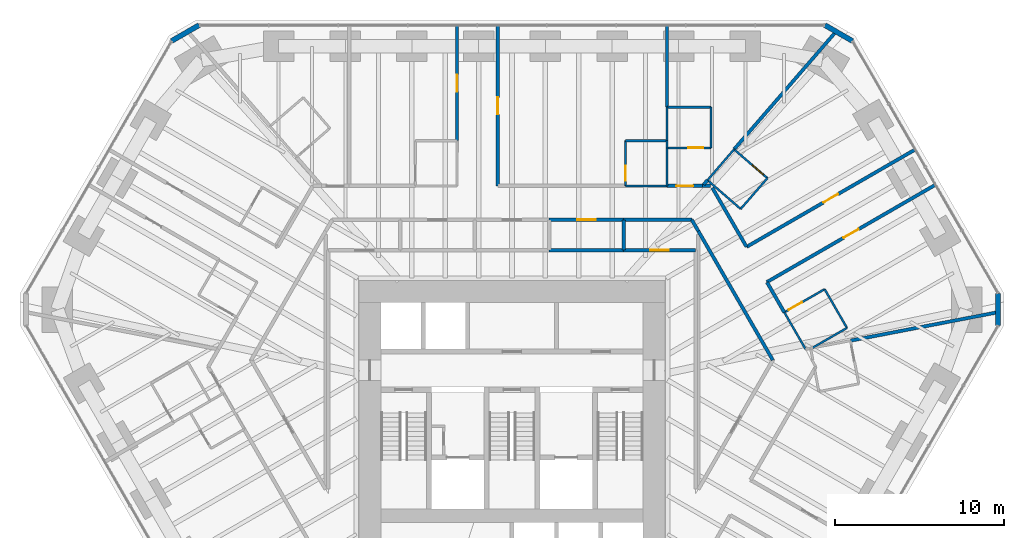
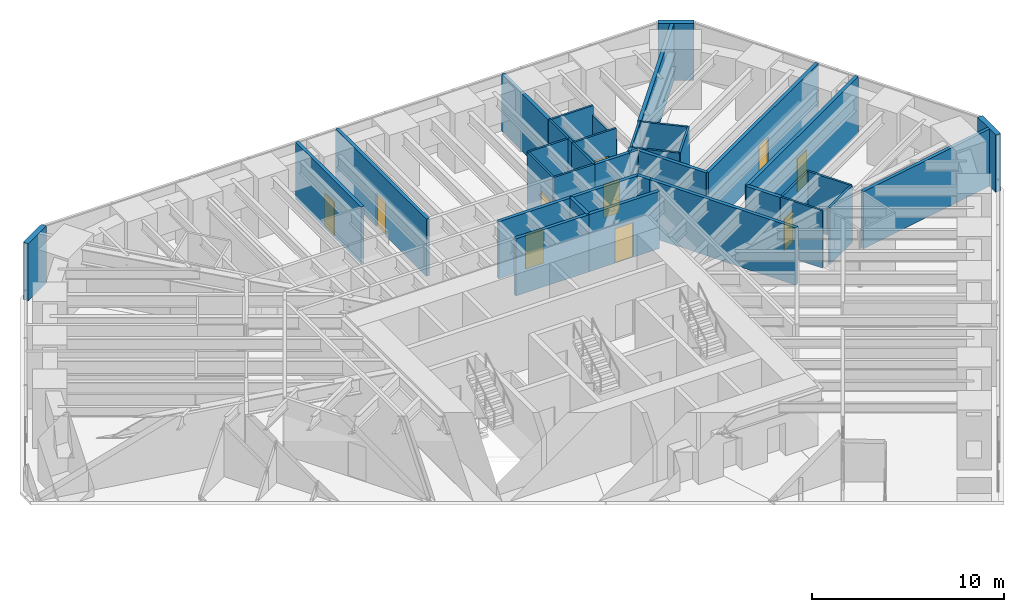
# One storey, part 15 of 17: 39 walls, 11 doors, 11 openings.
"""IFC4 building model written with IfcOpenShell, lengths in metres."""

from ifc_helpers import new_model, si_unit, direction, frame, frame_2d, origin, place, context, subcontext, project, spatial, rectangle, extrude, material, layer, layer_set, type_object, element, fill, save


model = new_model("IFC4")

# Units and contexts
model_context = context("Model", 3, precision=1e-05, world=origin(), true_north=direction((0.0, 1.0)))
body_context = subcontext(model_context, "Body", "Model", "MODEL_VIEW")
ifc_project = project(units=[si_unit("LENGTHUNIT", "METRE"), si_unit("AREAUNIT", "SQUARE_METRE"), si_unit("VOLUMEUNIT", "CUBIC_METRE"), si_unit("PLANEANGLEUNIT", "RADIAN"), si_unit("MASSUNIT", "GRAM", prefix="KILO")], contexts=[model_context])

# Site, building, storey
site_placement = place(None, origin())
site = spatial("IfcSite", under=ifc_project, at=site_placement, CompositionType="ELEMENT")
building_placement = place(site_placement, origin())
building = spatial("IfcBuilding", under=site, at=building_placement, Name="Sandreach Pilgrim Tower", CompositionType="ELEMENT")
storey_placement = place(building_placement, frame((0.0, 0.0, 108.199951171875)))
storey = spatial("IfcBuildingStorey", under=building, at=storey_placement, Name="L26", CompositionType="ELEMENT", Elevation=108.199951171875)

# Wall, opening, door
ifc_material_1 = material(Name="Moisture-resistant gypsum board on steel studs", Category="steel")
ifc_layer_1 = layer(ifc_material_1, 0.1201171875)
ifc_layer_set_1 = layer_set([ifc_layer_1], Name="Bathroom partition 120")
wall_type_1 = type_object("IfcWallType", Name="Bathroom partition 120", PredefinedType="PARTITIONING", material=ifc_layer_set_1)
wall_1_placement = place(storey_placement, frame((6.7099609375, 15.659912109375, 0.0), z_axis=(0.0, 0.0, 1.0), x_axis=(0.0, -1.0, 0.0)))
wall_1 = element("IfcWall", 1, at=wall_1_placement, inside=storey, type_object=wall_type_1, Name="Bathroom partition L26-103", PredefinedType="PARTITIONING", context=body_context, shape_type="SweptSolid", body=[
    extrude(rectangle(XDim=2.669921875, YDim=0.1201171875, at=frame_2d((1.3349609375, 0.0))), origin(), (0.0, 0.0, 1.0), 3.64013671875),
])
opening_1_placement = place(wall_1_placement, frame((1.469970703125, 0.0, 0.0)))
opening_1 = element("IfcOpeningElement", 2, at=opening_1_placement, cuts=wall_1, Name="Opening D09-03B", PredefinedType="OPENING", context=body_context, shape_type="SweptSolid", body=[
    extrude(rectangle(XDim=0.89990234375, YDim=2.030029296875, at=frame_2d((0.449951171875, 1.01513671875))), frame((0.0, 0.06005859375, 0.0), z_axis=(0.0, -1.0, 0.0), x_axis=(1.0, 0.0, 0.0)), (0.0, 0.0, 1.0), 0.1201171875),
])
ifc_material_2 = material(Name="Timber door, steel frame", Category="steel")
door_type_1 = type_object("IfcDoorType", Name="Bathroom door", OperationType="SINGLE_SWING_LEFT", PredefinedType="DOOR", material=ifc_material_2)
door_1_placement = place(opening_1_placement, origin())
door_1 = element("IfcDoor", 3, at=door_1_placement, inside=storey, type_object=door_type_1, Name="Door 2603B", OperationType="SINGLE_SWING_RIGHT", OverallHeight=2.030029296875, OverallWidth=0.89990234375, PredefinedType="DOOR", context=body_context, shape_type="SweptSolid", body=[
    extrude(rectangle(XDim=0.89990234375, YDim=2.030029296875, at=frame_2d((0.449951171875, 1.01513671875))), frame((0.0, 0.02490234375, 0.0), z_axis=(0.0, -1.0, 0.0), x_axis=(1.0, 0.0, 0.0)), (0.0, 0.0, 1.0), 0.050048828125),
])
fill(opening_1, door_1)

# Walls
wall_2_placement = place(storey_placement, frame((9.159912109375, 12.989990234375, 0.0), z_axis=(0.0, 0.0, 1.0), x_axis=(-1.0, 0.0, 0.0)))
element("IfcWall", 4, at=wall_2_placement, inside=storey, type_object=wall_type_1, Name="Bathroom partition L26-115", PredefinedType="PARTITIONING", context=body_context, shape_type="SweptSolid", body=[
    extrude(rectangle(XDim=2.449951171875, YDim=0.1201171875, at=frame_2d((1.22509765625, 0.0))), origin(), (0.0, 0.0, 1.0), 3.64013671875),
])
wall_3_placement = place(storey_placement, frame((9.159912109375, 15.239990234375, 0.0), z_axis=(0.0, 0.0, 1.0), x_axis=(0.0, -1.0, 0.0)))
element("IfcWall", 5, at=wall_3_placement, inside=storey, type_object=wall_type_1, Name="Bathroom partition L26-116", PredefinedType="PARTITIONING", context=body_context, shape_type="SweptSolid", body=[
    extrude(rectangle(XDim=2.25, YDim=0.1201171875, at=frame_2d((1.125, 0.0))), origin(), (0.0, 0.0, 1.0), 3.64013671875),
])

# Wall, opening, door
wall_4_placement = place(storey_placement, frame((9.159912109375, 15.239990234375, 0.0), z_axis=(0.0, 0.0, 1.0), x_axis=(1.0, 0.0, 0.0)))
wall_4 = element("IfcWall", 6, at=wall_4_placement, inside=storey, type_object=wall_type_1, Name="Bathroom partition L26-117", PredefinedType="PARTITIONING", context=body_context, shape_type="SweptSolid", body=[
    extrude(rectangle(XDim=2.60009765625, YDim=0.1201171875, at=frame_2d((1.300048828125, 0.0))), origin(), (0.0, 0.0, 1.0), 3.64013671875),
])
opening_2_placement = place(wall_4_placement, frame((1.25, 0.0, 0.0)))
opening_2 = element("IfcOpeningElement", 7, at=opening_2_placement, cuts=wall_4, Name="Opening D09-04B", PredefinedType="OPENING", context=body_context, shape_type="SweptSolid", body=[
    extrude(rectangle(XDim=0.89990234375, YDim=2.030029296875, at=frame_2d((0.449951171875, 1.01513671875))), frame((0.0, 0.06005859375, 0.0), z_axis=(0.0, -1.0, 0.0), x_axis=(1.0, 0.0, 0.0)), (0.0, 0.0, 1.0), 0.1201171875),
])
door_2_placement = place(opening_2_placement, origin())
door_2 = element("IfcDoor", 8, at=door_2_placement, inside=storey, type_object=door_type_1, Name="Door 2604B", OperationType="SINGLE_SWING_RIGHT", OverallHeight=2.030029296875, OverallWidth=0.89990234375, PredefinedType="DOOR", context=body_context, shape_type="SweptSolid", body=[
    extrude(rectangle(XDim=0.89990234375, YDim=2.030029296875, at=frame_2d((0.449951171875, 1.01513671875))), frame((0.0, 0.02490234375, 0.0), z_axis=(0.0, -1.0, 0.0), x_axis=(1.0, 0.0, 0.0)), (0.0, 0.0, 1.0), 0.050048828125),
])
fill(opening_2, door_2)

# Walls
wall_5_placement = place(storey_placement, frame((9.159912109375, 15.659912109375, 0.0), z_axis=(0.0, 0.0, 1.0), x_axis=(-1.0, 0.0, 0.0)))
element("IfcWall", 9, at=wall_5_placement, inside=storey, type_object=wall_type_1, Name="Bathroom partition L26-118", PredefinedType="PARTITIONING", context=body_context, shape_type="SweptSolid", body=[
    extrude(rectangle(XDim=2.449951171875, YDim=0.1201171875, at=frame_2d((1.22509765625, 0.0))), origin(), (0.0, 0.0, 1.0), 3.64013671875),
])
wall_6_placement = place(storey_placement, frame((9.159912109375, 15.659912109375, 0.0), z_axis=(0.0, 0.0, 1.0), x_axis=(0.0, -1.0, 0.0)))
element("IfcWall", 10, at=wall_6_placement, inside=storey, type_object=wall_type_1, Name="Bathroom partition L26-119", PredefinedType="PARTITIONING", context=body_context, shape_type="SweptSolid", body=[
    extrude(rectangle(XDim=0.419921875, YDim=0.1201171875, at=frame_2d((0.2099609375, 0.0))), origin(), (0.0, 0.0, 1.0), 3.64013671875),
])
wall_7_placement = place(storey_placement, frame((9.159912109375, 17.639892578125, 0.0), z_axis=(0.0, 0.0, 1.0), x_axis=(0.0, -1.0, 0.0)))
element("IfcWall", 11, at=wall_7_placement, inside=storey, type_object=wall_type_1, Name="Bathroom partition L26-120", PredefinedType="PARTITIONING", context=body_context, shape_type="SweptSolid", body=[
    extrude(rectangle(XDim=1.97998046875, YDim=0.1201171875, at=frame_2d((0.989990234375, 0.0))), origin(), (0.0, 0.0, 1.0), 3.64013671875),
])
wall_8_placement = place(storey_placement, frame((11.550048828125, 13.330078125, 0.0), z_axis=(0.0, 0.0, 1.0), x_axis=(0.653238965593, 0.75715180369, 0.0)))
element("IfcWall", 12, at=wall_8_placement, inside=storey, type_object=wall_type_1, Name="Bathroom partition L26-134", PredefinedType="PARTITIONING", context=body_context, shape_type="SweptSolid", body=[
    extrude(rectangle(XDim=2.403564453125, YDim=0.1201171875, at=frame_2d((1.20166015625, 0.0))), origin(), (0.0, 0.0, 1.0), 3.64013671875),
])
wall_9_placement = place(storey_placement, frame((11.550048828125, 13.330078125, 0.0), z_axis=(0.0, 0.0, 1.0), x_axis=(0.755437535555, -0.655220672655, 0.0)))
element("IfcWall", 13, at=wall_9_placement, inside=storey, type_object=wall_type_1, Name="Bathroom partition L26-135", PredefinedType="PARTITIONING", context=body_context, shape_type="SweptSolid", body=[
    extrude(rectangle(XDim=2.594482421875, YDim=0.1201171875, at=frame_2d((1.29736328125, 0.0))), origin(), (0.0, 0.0, 1.0), 3.64013671875),
])
wall_10_placement = place(storey_placement, frame((11.760009765625, 15.239990234375, 0.0), z_axis=(0.0, 0.0, 1.0), x_axis=(0.0, 1.0, 0.0)))
element("IfcWall", 14, at=wall_10_placement, inside=storey, type_object=wall_type_1, Name="Bathroom partition L26-137", PredefinedType="PARTITIONING", context=body_context, shape_type="SweptSolid", body=[
    extrude(rectangle(XDim=2.39990234375, YDim=0.1201171875, at=frame_2d((1.199951171875, 0.0))), origin(), (0.0, 0.0, 1.0), 3.0380859375),
])
wall_11_placement = place(storey_placement, frame((11.760009765625, 17.639892578125, 0.0), z_axis=(0.0, 0.0, 1.0), x_axis=(-1.0, 0.0, 0.0)))
element("IfcWall", 15, at=wall_11_placement, inside=storey, type_object=wall_type_1, Name="Bathroom partition L26-138", PredefinedType="PARTITIONING", context=body_context, shape_type="SweptSolid", body=[
    extrude(rectangle(XDim=2.60009765625, YDim=0.1201171875, at=frame_2d((1.300048828125, 0.0))), origin(), (0.0, 0.0, 1.0), 3.64013671875),
])
wall_12_placement = place(storey_placement, frame((13.510009765625, 11.6298828125, 0.0), z_axis=(0.0, 0.0, 1.0), x_axis=(0.655566599468, 0.75513736079, 0.0)))
element("IfcWall", 16, at=wall_12_placement, inside=storey, type_object=wall_type_1, Name="Bathroom partition L26-141", PredefinedType="PARTITIONING", context=body_context, shape_type="SweptSolid", body=[
    extrude(rectangle(XDim=2.41015625, YDim=0.1201171875, at=frame_2d((1.205078125, 0.0))), origin(), (0.0, 0.0, 1.0), 3.64013671875),
])

# Wall, opening, door
wall_13_placement = place(storey_placement, frame((15.090087890625, 13.449951171875, 0.0), z_axis=(0.0, 0.0, 1.0), x_axis=(-0.757086659925, 0.653314464377, 0.0)))
wall_13 = element("IfcWall", 17, at=wall_13_placement, inside=storey, type_object=wall_type_1, Name="Bathroom partition L26-146", PredefinedType="PARTITIONING", context=body_context, shape_type="SweptSolid", body=[
    extrude(rectangle(XDim=2.60205078125, YDim=0.1201171875, at=frame_2d((1.301025390625, 0.0))), origin(), (0.0, 0.0, 1.0), 3.64013671875),
])
opening_3_placement = place(wall_13_placement, frame((0.300048828125, 0.0, 0.0)))
opening_3 = element("IfcOpeningElement", 18, at=opening_3_placement, cuts=wall_13, Name="Opening D09-05B", PredefinedType="OPENING", context=body_context, shape_type="SweptSolid", body=[
    extrude(rectangle(XDim=0.89990234375, YDim=2.030029296875, at=frame_2d((0.449951171875, 1.01513671875))), frame((0.0, 0.06005859375, 0.0), z_axis=(0.0, -1.0, 0.0), x_axis=(1.0, 0.0, 0.0)), (0.0, 0.0, 1.0), 0.1201171875),
])
door_3_placement = place(opening_3_placement, origin())
door_3 = element("IfcDoor", 19, at=door_3_placement, inside=storey, type_object=door_type_1, Name="Door 2605B", OperationType="SINGLE_SWING_LEFT", OverallHeight=2.030029296875, OverallWidth=0.89990234375, PredefinedType="DOOR", context=body_context, shape_type="SweptSolid", body=[
    extrude(rectangle(XDim=0.89990234375, YDim=2.030029296875, at=frame_2d((0.449951171875, 1.01513671875))), frame((0.0, 0.02490234375, 0.0), z_axis=(0.0, -1.0, 0.0), x_axis=(1.0, 0.0, 0.0)), (0.0, 0.0, 1.0), 0.050048828125),
])
fill(opening_3, door_3)

# Walls
wall_14_placement = place(storey_placement, frame((16.090087890625, 5.52001953125, 0.0), z_axis=(0.0, 0.0, 1.0), x_axis=(0.500424596343, -0.865780124151, 0.0)))
element("IfcWall", 20, at=wall_14_placement, inside=storey, type_object=wall_type_1, Name="Bathroom partition L26-148", PredefinedType="PARTITIONING", context=body_context, shape_type="SweptSolid", body=[
    extrude(rectangle(XDim=2.517822265625, YDim=0.1201171875, at=frame_2d((1.2587890625, 0.0))), origin(), (0.0, 0.0, 1.0), 3.64013671875),
])
wall_15_placement = place(storey_placement, frame((17.760009765625, 3.429931640625, 0.0), z_axis=(0.0, 0.0, 1.0), x_axis=(0.866371132283, 0.499400701988, 0.0)))
element("IfcWall", 21, at=wall_15_placement, inside=storey, type_object=wall_type_1, Name="Bathroom partition L26-152", PredefinedType="PARTITIONING", context=body_context, shape_type="SweptSolid", body=[
    extrude(rectangle(XDim=2.34326171875, YDim=0.1201171875, at=frame_2d((1.171630859375, 0.0))), origin(), (0.0, 0.0, 1.0), 3.64013671875),
])

# Wall, opening, door
wall_16_placement = place(storey_placement, frame((18.469970703125, 6.889892578125, 0.0), z_axis=(0.0, 0.0, 1.0), x_axis=(-0.866679536557, -0.498865293355, 0.0)))
wall_16 = element("IfcWall", 22, at=wall_16_placement, inside=storey, type_object=wall_type_1, Name="Bathroom partition L26-158", PredefinedType="PARTITIONING", context=body_context, shape_type="SweptSolid", body=[
    extrude(rectangle(XDim=2.74609375, YDim=0.1201171875, at=frame_2d((1.373046875, 0.0))), origin(), (0.0, 0.0, 1.0), 3.64013671875),
])
opening_4_placement = place(wall_16_placement, frame((1.546142578125, 0.0, 0.0)))
opening_4 = element("IfcOpeningElement", 23, at=opening_4_placement, cuts=wall_16, Name="Opening D09-06B", PredefinedType="OPENING", context=body_context, shape_type="SweptSolid", body=[
    extrude(rectangle(XDim=0.89990234375, YDim=2.030029296875, at=frame_2d((0.449951171875, 1.01513671875))), frame((0.0, 0.06005859375, 0.0), z_axis=(0.0, -1.0, 0.0), x_axis=(1.0, 0.0, 0.0)), (0.0, 0.0, 1.0), 0.1201171875),
])
door_4_placement = place(opening_4_placement, origin())
door_4 = element("IfcDoor", 24, at=door_4_placement, inside=storey, type_object=door_type_1, Name="Door 2606B", OperationType="SINGLE_SWING_RIGHT", OverallHeight=2.030029296875, OverallWidth=0.89990234375, PredefinedType="DOOR", context=body_context, shape_type="SweptSolid", body=[
    extrude(rectangle(XDim=0.89990234375, YDim=2.030029296875, at=frame_2d((0.449951171875, 1.01513671875))), frame((0.0, 0.02490234375, 0.0), z_axis=(0.0, -1.0, 0.0), x_axis=(1.0, 0.0, 0.0)), (0.0, 0.0, 1.0), 0.050048828125),
])
fill(opening_4, door_4)

# Wall
wall_17_placement = place(storey_placement, frame((19.7900390625, 4.60009765625, 0.0), z_axis=(0.0, 0.0, 1.0), x_axis=(-0.499447879564, 0.866343936089, 0.0)))
element("IfcWall", 25, at=wall_17_placement, inside=storey, type_object=wall_type_1, Name="Bathroom partition L26-159", PredefinedType="PARTITIONING", context=body_context, shape_type="SweptSolid", body=[
    extrude(rectangle(XDim=2.64306640625, YDim=0.1201171875, at=frame_2d((1.321533203125, 0.0))), origin(), (0.0, 0.0, 1.0), 3.64013671875),
])

# Wall, opening, door
ifc_material_3 = material(Name="Gypsum board on steel studs, two layers each side", Category="steel")
ifc_layer_2 = layer(ifc_material_3, 0.199951171875)
ifc_layer_set_2 = layer_set([ifc_layer_2], Name="Corridor wall 200")
wall_type_2 = type_object("IfcWallType", Name="Corridor wall 200", PredefinedType="PARTITIONING", material=ifc_layer_set_2)
wall_18_placement = place(storey_placement, frame((-3.25, 22.4599609375, 0.0), z_axis=(0.0, 0.0, 1.0), x_axis=(0.0, -1.0, 0.0)))
wall_18 = element("IfcWall", 26, at=wall_18_placement, inside=storey, type_object=wall_type_2, Name="Corridor wall L26-073", PredefinedType="PARTITIONING", context=body_context, shape_type="SweptSolid", body=[
    extrude(rectangle(XDim=6.800048828125, YDim=0.199951171875, at=frame_2d((3.39990234375, 0.0))), origin(), (0.0, 0.0, 1.0), 3.64013671875),
])
opening_5_placement = place(wall_18_placement, frame((2.89990234375, 0.0, 0.0)))
opening_5 = element("IfcOpeningElement", 27, at=opening_5_placement, cuts=wall_18, Name="Opening D10-02", PredefinedType="OPENING", context=body_context, shape_type="SweptSolid", body=[
    extrude(rectangle(XDim=1.0, YDim=2.1298828125, at=frame_2d((0.5, 1.06494140625))), frame((0.0, 0.10009765625, 0.0), z_axis=(0.0, -1.0, 0.0), x_axis=(1.0, 0.0, 0.0)), (0.0, 0.0, 1.0), 0.199951171875),
])
ifc_material_4 = material(Name="Steel door and frame", Category="steel")
door_type_2 = type_object("IfcDoorType", Name="Guest room entry door", OperationType="SINGLE_SWING_LEFT", PredefinedType="DOOR", material=ifc_material_4)
door_5_placement = place(opening_5_placement, origin())
door_5 = element("IfcDoor", 28, at=door_5_placement, inside=storey, type_object=door_type_2, Name="Door 2602", OperationType="SINGLE_SWING_LEFT", OverallHeight=2.1298828125, OverallWidth=1.0, PredefinedType="DOOR", context=body_context, shape_type="SweptSolid", body=[
    extrude(rectangle(XDim=1.0, YDim=2.1298828125, at=frame_2d((0.5, 1.06494140625))), frame((0.0, 0.02490234375, 0.0), z_axis=(0.0, -1.0, 0.0), x_axis=(1.0, 0.0, 0.0)), (0.0, 0.0, 1.0), 0.050048828125),
])
fill(opening_5, door_5)

wall_19_placement = place(storey_placement, frame((-0.85009765625, 12.989990234375, 0.0), z_axis=(0.0, 0.0, 1.0), x_axis=(0.0, 1.0, 0.0)))
wall_19 = element("IfcWall", 29, at=wall_19_placement, inside=storey, type_object=wall_type_2, Name="Corridor wall L26-084", PredefinedType="PARTITIONING", context=body_context, shape_type="SweptSolid", body=[
    extrude(rectangle(XDim=9.469970703125, YDim=0.199951171875, at=frame_2d((4.73486328125, 0.0))), origin(), (0.0, 0.0, 1.0), 3.64013671875),
])
opening_6_placement = place(wall_19_placement, frame((4.235107421875, 0.0, 0.0)))
opening_6 = element("IfcOpeningElement", 30, at=opening_6_placement, cuts=wall_19, Name="Opening D10-03", PredefinedType="OPENING", context=body_context, shape_type="SweptSolid", body=[
    extrude(rectangle(XDim=1.0, YDim=2.1298828125, at=frame_2d((0.5, 1.06494140625))), frame((0.0, 0.10009765625, 0.0), z_axis=(0.0, -1.0, 0.0), x_axis=(1.0, 0.0, 0.0)), (0.0, 0.0, 1.0), 0.199951171875),
])
door_6_placement = place(opening_6_placement, origin())
door_6 = element("IfcDoor", 31, at=door_6_placement, inside=storey, type_object=door_type_2, Name="Door 2603", OperationType="SINGLE_SWING_LEFT", OverallHeight=2.1298828125, OverallWidth=1.0, PredefinedType="DOOR", context=body_context, shape_type="SweptSolid", body=[
    extrude(rectangle(XDim=1.0, YDim=2.1298828125, at=frame_2d((0.5, 1.06494140625))), frame((0.0, 0.02490234375, 0.0), z_axis=(0.0, -1.0, 0.0), x_axis=(1.0, 0.0, 0.0)), (0.0, 0.0, 1.0), 0.050048828125),
])
fill(opening_6, door_6)

wall_20_placement = place(storey_placement, frame((2.199951171875, 10.989990234375, 0.0), z_axis=(0.0, 0.0, 1.0), x_axis=(1.0, 0.0, 0.0)))
wall_20 = element("IfcWall", 32, at=wall_20_placement, inside=storey, type_object=wall_type_2, Name="Corridor wall L26-091", PredefinedType="PARTITIONING", context=body_context, shape_type="SweptSolid", body=[
    extrude(rectangle(XDim=4.400146484375, YDim=0.199951171875, at=frame_2d((2.2001953125, 0.0))), origin(), (0.0, 0.0, 1.0), 3.64013671875),
])
opening_7_placement = place(wall_20_placement, frame((1.64990234375, 0.0, 0.0)))
opening_7 = element("IfcOpeningElement", 33, at=opening_7_placement, cuts=wall_20, Name="Opening D11H-M05", PredefinedType="OPENING", context=body_context, shape_type="SweptSolid", body=[
    extrude(rectangle(XDim=1.10009765625, YDim=2.199951171875, at=frame_2d((0.550048828125, 1.10009765625))), frame((0.0, 0.10009765625, 0.0), z_axis=(0.0, -1.0, 0.0), x_axis=(1.0, 0.0, 0.0)), (0.0, 0.0, 1.0), 0.199951171875),
])
ifc_material_5 = material(Name="Steel door and frame", Category="steel")
door_type_3 = type_object("IfcDoorType", Name="Back of house door", OperationType="SINGLE_SWING_LEFT", PredefinedType="DOOR", material=ifc_material_5)
door_7_placement = place(opening_7_placement, origin())
door_7 = element("IfcDoor", 34, at=door_7_placement, inside=storey, type_object=door_type_3, Name="Door 26M05", OperationType="SINGLE_SWING_LEFT", OverallHeight=2.199951171875, OverallWidth=1.10009765625, PredefinedType="DOOR", context=body_context, shape_type="SweptSolid", body=[
    extrude(rectangle(XDim=1.10009765625, YDim=2.199951171875, at=frame_2d((0.550048828125, 1.10009765625))), frame((0.0, 0.02490234375, 0.0), z_axis=(0.0, -1.0, 0.0), x_axis=(1.0, 0.0, 0.0)), (0.0, 0.0, 1.0), 0.050048828125),
])
fill(opening_7, door_7)

# Walls
wall_21_placement = place(storey_placement, frame((6.60009765625, 9.199951171875, 0.0), z_axis=(0.0, 0.0, 1.0), x_axis=(-1.0, 0.0, 0.0)))
element("IfcWall", 35, at=wall_21_placement, inside=storey, type_object=wall_type_2, Name="Corridor wall L26-099", PredefinedType="PARTITIONING", context=body_context, shape_type="SweptSolid", body=[
    extrude(rectangle(XDim=4.400146484375, YDim=0.199951171875, at=frame_2d((2.2001953125, 0.0))), origin(), (0.0, 0.0, 1.0), 3.64013671875),
])
wall_22_placement = place(storey_placement, frame((6.60009765625, 10.989990234375, 0.0), z_axis=(0.0, 0.0, 1.0), x_axis=(1.0, 0.0, 0.0)))
element("IfcWall", 36, at=wall_22_placement, inside=storey, type_object=wall_type_2, Name="Corridor wall L26-101", PredefinedType="PARTITIONING", context=body_context, shape_type="SweptSolid", body=[
    extrude(rectangle(XDim=4.02001953125, YDim=0.199951171875, at=frame_2d((2.010009765625, 0.0))), origin(), (0.0, 0.0, 1.0), 3.64013671875),
])
wall_23_placement = place(storey_placement, frame((10.6201171875, 10.989990234375, 0.0), z_axis=(0.0, 0.0, 1.0), x_axis=(0.503009091795, -0.864281119527, 0.0)))
element("IfcWall", 37, at=wall_23_placement, inside=storey, type_object=wall_type_2, Name="Corridor wall L26-126", PredefinedType="PARTITIONING", context=body_context, shape_type="SweptSolid", body=[
    extrude(rectangle(XDim=0.775146484375, YDim=0.199951171875, at=frame_2d((0.3876953125, 0.0))), origin(), (0.0, 0.0, 1.0), 3.64013671875),
])

# Wall, opening, door
wall_24_placement = place(storey_placement, frame((10.840087890625, 9.199951171875, 0.0), z_axis=(0.0, 0.0, 1.0), x_axis=(-1.0, 0.0, 0.0)))
wall_24 = element("IfcWall", 38, at=wall_24_placement, inside=storey, type_object=wall_type_2, Name="Corridor wall L26-127", PredefinedType="PARTITIONING", context=body_context, shape_type="SweptSolid", body=[
    extrude(rectangle(XDim=4.239990234375, YDim=0.199951171875, at=frame_2d((2.1201171875, 0.0))), origin(), (0.0, 0.0, 1.0), 3.64013671875),
])
opening_8_placement = place(wall_24_placement, frame((1.570068359375, 0.0, 0.0)))
opening_8 = element("IfcOpeningElement", 39, at=opening_8_placement, cuts=wall_24, Name="Opening D11H-M06", PredefinedType="OPENING", context=body_context, shape_type="SweptSolid", body=[
    extrude(rectangle(XDim=1.10009765625, YDim=2.199951171875, at=frame_2d((0.550048828125, 1.10009765625))), frame((0.0, 0.10009765625, 0.0), z_axis=(0.0, -1.0, 0.0), x_axis=(1.0, 0.0, 0.0)), (0.0, 0.0, 1.0), 0.199951171875),
])
door_8_placement = place(opening_8_placement, origin())
door_8 = element("IfcDoor", 40, at=door_8_placement, inside=storey, type_object=door_type_3, Name="Door 26M06", OperationType="SINGLE_SWING_LEFT", OverallHeight=2.199951171875, OverallWidth=1.10009765625, PredefinedType="DOOR", context=body_context, shape_type="SweptSolid", body=[
    extrude(rectangle(XDim=1.10009765625, YDim=2.199951171875, at=frame_2d((0.550048828125, 1.10009765625))), frame((0.0, 0.02490234375, 0.0), z_axis=(0.0, -1.0, 0.0), x_axis=(1.0, 0.0, 0.0)), (0.0, 0.0, 1.0), 0.050048828125),
])
fill(opening_8, door_8)

# Wall
wall_25_placement = place(storey_placement, frame((11.010009765625, 10.320068359375, 0.0), z_axis=(0.0, 0.0, 1.0), x_axis=(0.500036278648, -0.866004457284, 0.0)))
element("IfcWall", 41, at=wall_25_placement, inside=storey, type_object=wall_type_2, Name="Corridor wall L26-130", PredefinedType="PARTITIONING", context=body_context, shape_type="SweptSolid", body=[
    extrude(rectangle(XDim=8.799072265625, YDim=0.199951171875, at=frame_2d((4.3994140625, 0.0))), origin(), (0.0, 0.0, 1.0), 3.64013671875),
])

# Wall, opening, door
wall_26_placement = place(storey_placement, frame((11.25, 12.989990234375, 0.0), z_axis=(0.0, 0.0, 1.0), x_axis=(-1.0, 0.0, 0.0)))
wall_26 = element("IfcWall", 42, at=wall_26_placement, inside=storey, type_object=wall_type_2, Name="Corridor wall L26-131", PredefinedType="PARTITIONING", context=body_context, shape_type="SweptSolid", body=[
    extrude(rectangle(XDim=2.090087890625, YDim=0.199951171875, at=frame_2d((1.044921875, 0.0))), origin(), (0.0, 0.0, 1.0), 3.64013671875),
])
opening_9_placement = place(wall_26_placement, frame((0.544921875, 0.0, 0.0)))
opening_9 = element("IfcOpeningElement", 43, at=opening_9_placement, cuts=wall_26, Name="Opening D10-04", PredefinedType="OPENING", context=body_context, shape_type="SweptSolid", body=[
    extrude(rectangle(XDim=1.0, YDim=2.1298828125, at=frame_2d((0.5, 1.06494140625))), frame((0.0, 0.10009765625, 0.0), z_axis=(0.0, -1.0, 0.0), x_axis=(1.0, 0.0, 0.0)), (0.0, 0.0, 1.0), 0.199951171875),
])
door_9_placement = place(opening_9_placement, origin())
door_9 = element("IfcDoor", 44, at=door_9_placement, inside=storey, type_object=door_type_2, Name="Door 2604", OperationType="SINGLE_SWING_LEFT", OverallHeight=2.1298828125, OverallWidth=1.0, PredefinedType="DOOR", context=body_context, shape_type="SweptSolid", body=[
    extrude(rectangle(XDim=1.0, YDim=2.1298828125, at=frame_2d((0.5, 1.06494140625))), frame((0.0, 0.02490234375, 0.0), z_axis=(0.0, -1.0, 0.0), x_axis=(1.0, 0.0, 0.0)), (0.0, 0.0, 1.0), 0.050048828125),
])
fill(opening_9, door_9)

# Walls
wall_27_placement = place(storey_placement, frame((11.735107421875, 12.989990234375, 0.0), z_axis=(0.0, 0.0, 1.0), x_axis=(-1.0, 0.0, 0.0)))
element("IfcWall", 45, at=wall_27_placement, inside=storey, type_object=wall_type_2, Name="Corridor wall L26-136", PredefinedType="PARTITIONING", context=body_context, shape_type="SweptSolid", body=[
    extrude(rectangle(XDim=0.485107421875, YDim=0.199951171875, at=frame_2d((0.24267578125, 0.0))), origin(), (0.0, 0.0, 1.0), 3.64013671875),
])
wall_28_placement = place(storey_placement, frame((13.85498046875, 9.398681640625, 0.0), z_axis=(0.0, 0.0, 1.0), x_axis=(-0.502087259191, 0.864816965698, 0.0)))
element("IfcWall", 46, at=wall_28_placement, inside=storey, type_object=wall_type_2, Name="Corridor wall L26-142", PredefinedType="PARTITIONING", context=body_context, shape_type="SweptSolid", body=[
    extrude(rectangle(XDim=4.027587890625, YDim=0.199951171875, at=frame_2d((2.013671875, 0.0))), origin(), (0.0, 0.0, 1.0), 3.64013671875),
])

# Wall, opening, door
wall_29_placement = place(storey_placement, frame((15.06005859375, 7.31005859375, 0.0), z_axis=(0.0, 0.0, 1.0), x_axis=(0.866042039906, 0.499971184285, 0.0)))
wall_29 = element("IfcWall", 47, at=wall_29_placement, inside=storey, type_object=wall_type_2, Name="Corridor wall L26-144", PredefinedType="PARTITIONING", context=body_context, shape_type="SweptSolid", body=[
    extrude(rectangle(XDim=11.470458984375, YDim=0.199951171875, at=frame_2d((5.7353515625, 0.0))), origin(), (0.0, 0.0, 1.0), 3.64013671875),
])
opening_10_placement = place(wall_29_placement, frame((5.2353515625, 0.0, 0.0)))
opening_10 = element("IfcOpeningElement", 48, at=opening_10_placement, cuts=wall_29, Name="Opening D10-06", PredefinedType="OPENING", context=body_context, shape_type="SweptSolid", body=[
    extrude(rectangle(XDim=1.0, YDim=2.1298828125, at=frame_2d((0.5, 1.06494140625))), frame((0.0, 0.10009765625, 0.0), z_axis=(0.0, -1.0, 0.0), x_axis=(1.0, 0.0, 0.0)), (0.0, 0.0, 1.0), 0.199951171875),
])
door_10_placement = place(opening_10_placement, origin())
door_10 = element("IfcDoor", 49, at=door_10_placement, inside=storey, type_object=door_type_2, Name="Door 2606", OperationType="SINGLE_SWING_LEFT", OverallHeight=2.1298828125, OverallWidth=1.0, PredefinedType="DOOR", context=body_context, shape_type="SweptSolid", body=[
    extrude(rectangle(XDim=1.0, YDim=2.1298828125, at=frame_2d((0.5, 1.06494140625))), frame((0.0, 0.02490234375, 0.0), z_axis=(0.0, -1.0, 0.0), x_axis=(1.0, 0.0, 0.0)), (0.0, 0.0, 1.0), 0.050048828125),
])
fill(opening_10, door_10)

# Wall
wall_30_placement = place(storey_placement, frame((15.06494140625, 7.30126953125, 0.0), z_axis=(0.0, 0.0, 1.0), x_axis=(0.498810334238, -0.866711168993, 0.0)))
element("IfcWall", 50, at=wall_30_placement, inside=storey, type_object=wall_type_2, Name="Corridor wall L26-145", PredefinedType="PARTITIONING", context=body_context, shape_type="SweptSolid", body=[
    extrude(rectangle(XDim=2.05517578125, YDim=0.199951171875, at=frame_2d((1.027587890625, 0.0))), origin(), (0.0, 0.0, 1.0), 3.64013671875),
])

# Wall, opening, door
wall_31_placement = place(storey_placement, frame((23.7939453125, 15.125, 0.0), z_axis=(0.0, 0.0, 1.0), x_axis=(-0.866032823784, -0.499987147964, 0.0)))
wall_31 = element("IfcWall", 51, at=wall_31_placement, inside=storey, type_object=wall_type_2, Name="Corridor wall L26-163", PredefinedType="PARTITIONING", context=body_context, shape_type="SweptSolid", body=[
    extrude(rectangle(XDim=11.470458984375, YDim=0.199951171875, at=frame_2d((5.7353515625, 0.0))), origin(), (0.0, 0.0, 1.0), 3.64013671875),
])
opening_11_placement = place(wall_31_placement, frame((5.2353515625, 0.0, 0.0)))
opening_11 = element("IfcOpeningElement", 52, at=opening_11_placement, cuts=wall_31, Name="Opening D10-05", PredefinedType="OPENING", context=body_context, shape_type="SweptSolid", body=[
    extrude(rectangle(XDim=1.0, YDim=2.1298828125, at=frame_2d((0.5, 1.06494140625))), frame((0.0, 0.10009765625, 0.0), z_axis=(0.0, -1.0, 0.0), x_axis=(1.0, 0.0, 0.0)), (0.0, 0.0, 1.0), 0.199951171875),
])
door_11_placement = place(opening_11_placement, origin())
door_11 = element("IfcDoor", 53, at=door_11_placement, inside=storey, type_object=door_type_2, Name="Door 2605", OperationType="SINGLE_SWING_LEFT", OverallHeight=2.1298828125, OverallWidth=1.0, PredefinedType="DOOR", context=body_context, shape_type="SweptSolid", body=[
    extrude(rectangle(XDim=1.0, YDim=2.1298828125, at=frame_2d((0.5, 1.06494140625))), frame((0.0, 0.02490234375, 0.0), z_axis=(0.0, -1.0, 0.0), x_axis=(1.0, 0.0, 0.0)), (0.0, 0.0, 1.0), 0.050048828125),
])
fill(opening_11, door_11)

# Walls
ifc_material_6 = material(Name="Double steel stud acoustic wall, gypsum board", Category="steel")
ifc_layer_3 = layer(ifc_material_6, 0.199951171875)
ifc_layer_set_3 = layer_set([ifc_layer_3], Name="Party wall 200")
wall_type_3 = type_object("IfcWallType", Name="Party wall 200", PredefinedType="PARTITIONING", material=ifc_layer_set_3)
wall_32_placement = place(storey_placement, frame((6.60009765625, 10.97998046875, 0.0), z_axis=(0.0, 0.0, 1.0), x_axis=(0.0, -1.0, 0.0)))
element("IfcWall", 54, at=wall_32_placement, inside=storey, type_object=wall_type_3, Name="Party wall L26-100", PredefinedType="PARTITIONING", context=body_context, shape_type="SweptSolid", body=[
    extrude(rectangle(XDim=1.77001953125, YDim=0.199951171875, at=frame_2d((0.885009765625, 0.0))), origin(), (0.0, 0.0, 1.0), 3.64013671875),
])
wall_33_placement = place(storey_placement, frame((9.159912109375, 22.4599609375, 0.0), z_axis=(0.0, 0.0, 1.0), x_axis=(0.0, -1.0, 0.0)))
element("IfcWall", 55, at=wall_33_placement, inside=storey, type_object=wall_type_3, Name="Party wall L26-121", PredefinedType="PARTITIONING", context=body_context, shape_type="SweptSolid", body=[
    extrude(rectangle(XDim=4.820068359375, YDim=0.199951171875, at=frame_2d((2.41015625, 0.0))), origin(), (0.0, 0.0, 1.0), 3.64013671875),
])
wall_34_placement = place(storey_placement, frame((11.319580078125, 13.06884765625, 0.0), z_axis=(0.0, 0.0, 1.0), x_axis=(0.661575277995, 0.749878757897, 0.0)))
element("IfcWall", 56, at=wall_34_placement, inside=storey, type_object=wall_type_3, Name="Party wall L26-132", PredefinedType="PARTITIONING", context=body_context, shape_type="SweptSolid", body=[
    extrude(rectangle(XDim=0.348388671875, YDim=0.199951171875, at=frame_2d((0.17431640625, 0.0))), origin(), (0.0, 0.0, 1.0), 3.64013671875),
])
wall_35_placement = place(storey_placement, frame((13.1201171875, 15.14990234375, 0.0), z_axis=(0.0, 0.0, 1.0), x_axis=(0.654515490482, 0.756048591507, 0.0)))
element("IfcWall", 57, at=wall_35_placement, inside=storey, type_object=wall_type_3, Name="Party wall L26-140", PredefinedType="PARTITIONING", context=body_context, shape_type="SweptSolid", body=[
    extrude(rectangle(XDim=9.228515625, YDim=0.199951171875, at=frame_2d((4.6142578125, 0.0))), origin(), (0.0, 0.0, 1.0), 3.64013671875),
])
wall_36_placement = place(storey_placement, frame((20.0, 3.85009765625, 0.0), z_axis=(0.0, 0.0, 1.0), x_axis=(0.981934187141, 0.189222757942, 0.0)))
element("IfcWall", 58, at=wall_36_placement, inside=storey, type_object=wall_type_3, Name="Party wall L26-160", PredefinedType="PARTITIONING", context=body_context, shape_type="SweptSolid", body=[
    extrude(rectangle(XDim=8.9013671875, YDim=0.199951171875, at=frame_2d((4.45068359375, 0.0))), origin(), (0.0, 0.0, 1.0), 3.64013671875),
])
ifc_material_7 = material(Name="Terracotta rainscreen on concrete", Category="masonry")
ifc_layer_4 = layer(ifc_material_7, 0.300048828125)
ifc_layer_set_4 = layer_set([ifc_layer_4], Name="Terracotta chamfer pier")
wall_type_4 = type_object("IfcWallType", Name="Terracotta chamfer pier", PredefinedType="SOLIDWALL", material=ifc_layer_set_4)
wall_37_placement = place(storey_placement, frame((18.4814453125, 22.493896484375, 0.0), z_axis=(0.0, 0.0, 1.0), x_axis=(0.865988793993, -0.500063404658, 0.0)))
element("IfcWall", 59, at=wall_37_placement, inside=storey, type_object=wall_type_4, Name="Chamfer pier L26 N", PredefinedType="SOLIDWALL", context=body_context, shape_type="SweptSolid", body=[
    extrude(rectangle(XDim=1.880126953125, YDim=0.300048828125, at=frame_2d((0.93994140625, 0.0))), origin(), (0.0, 0.0, 1.0), 3.64013671875),
])
wall_38_placement = place(storey_placement, frame((28.720947265625, 6.638427734375, 0.0), z_axis=(0.0, 0.0, 1.0), x_axis=(0.0, -1.0, 0.0)))
element("IfcWall", 60, at=wall_38_placement, inside=storey, type_object=wall_type_4, Name="Chamfer pier L26 NE", PredefinedType="SOLIDWALL", context=body_context, shape_type="SweptSolid", body=[
    extrude(rectangle(XDim=1.8798828125, YDim=0.300048828125, at=frame_2d((0.93994140625, 0.0))), origin(), (0.0, 0.0, 1.0), 3.64013671875),
])
wall_39_placement = place(storey_placement, frame((-20.109619140625, 21.5537109375, 0.0), z_axis=(0.0, 0.0, 1.0), x_axis=(0.865988793993, 0.500063404658, 0.0)))
element("IfcWall", 61, at=wall_39_placement, inside=storey, type_object=wall_type_4, Name="Chamfer pier L26 NW", PredefinedType="SOLIDWALL", context=body_context, shape_type="SweptSolid", body=[
    extrude(rectangle(XDim=1.880126953125, YDim=0.300048828125, at=frame_2d((0.93994140625, 0.0))), origin(), (0.0, 0.0, 1.0), 3.64013671875),
])

save(model, "model.ifc")
